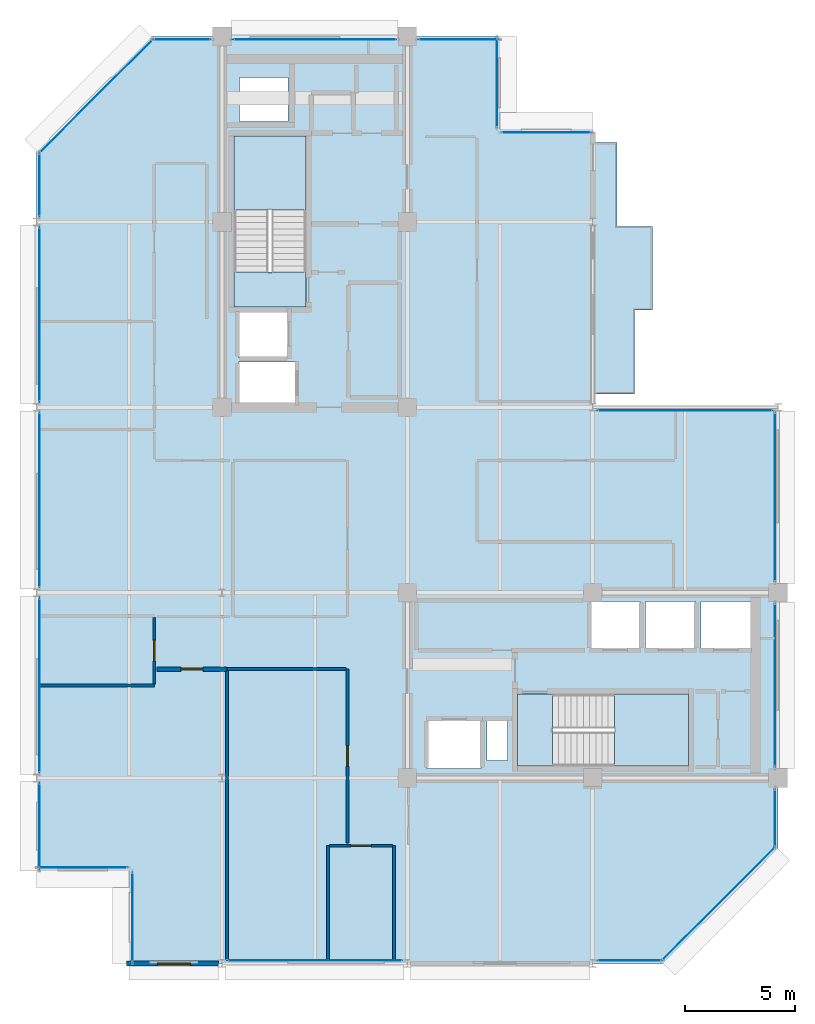
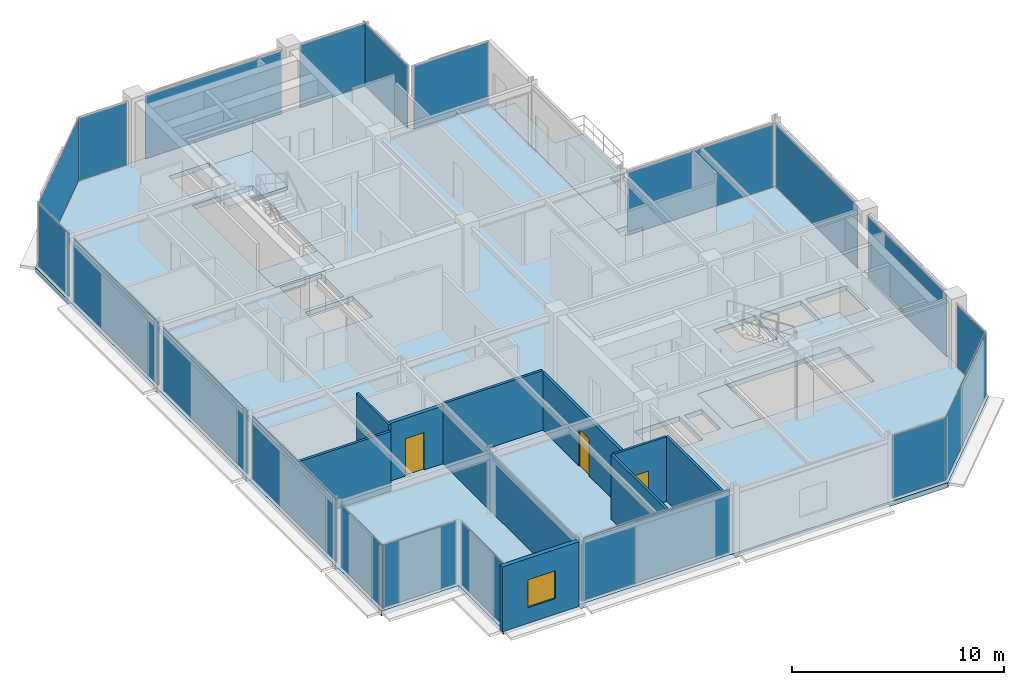
# One storey, part 19 of 25: 20 plates, 10 walls, 6 slabs, 4 doors, 1 window, 5 openings, 22 elements without a shape of their own.
"""IFC4 building model written with IfcOpenShell, lengths in metres."""

from ifc_helpers import new_model, si_unit, direction, frame, frame_2d, origin, origin_2d, place, context, subcontext, project, spatial, polyline, rectangle, outline, extrude, material, layer, layer_set, type_object, element, fill, aggregate, save


model = new_model("IFC4")

# Units and contexts
model_context = context("Model", 3, precision=1e-05, world=origin(), true_north=direction((0.0, 1.0)))
body_context = subcontext(model_context, "Body", "Model", "MODEL_VIEW")
ifc_project = project(units=[si_unit("LENGTHUNIT", "METRE"), si_unit("AREAUNIT", "SQUARE_METRE"), si_unit("VOLUMEUNIT", "CUBIC_METRE"), si_unit("PLANEANGLEUNIT", "RADIAN"), si_unit("MASSUNIT", "GRAM", prefix="KILO")], contexts=[model_context])

# Site, building, storey
site_placement = place(None, origin())
site = spatial("IfcSite", under=ifc_project, at=site_placement, CompositionType="ELEMENT")
building_placement = place(site_placement, origin())
building = spatial("IfcBuilding", under=site, at=building_placement, Name="Nerrivon Quay Data Exchange", CompositionType="ELEMENT")
storey_placement = place(building_placement, frame((0.0, 0.0, 302.199951171875)))
storey = spatial("IfcBuildingStorey", under=building, at=storey_placement, Name="L72", CompositionType="ELEMENT", Elevation=302.199951171875)

# Curtain wall, plate
ifc_material_1 = material(Name="Anodised aluminium 6063-T6", Category="aluminium")
ifc_layer_1 = layer(ifc_material_1, 0.195068359375)
ifc_layer_set_1 = layer_set([ifc_layer_1], Name="Anodised aluminium 6063-T6")
curtain_wall_type = type_object("IfcCurtainWallType", Name="CW-SYS-06", PredefinedType="NOTDEFINED", material=ifc_layer_set_1)
curtain_wall_1_placement = place(storey_placement, origin())
curtain_wall_1 = element("IfcCurtainWall", 1, at=curtain_wall_1_placement, inside=storey, type_object=curtain_wall_type, Name="L72 Unitised Curtain Wall 1", PredefinedType="NOTDEFINED")
ifc_material_2 = material(Name="Double-glazed low-E solar control glass", Category="glass")
ifc_layer_2 = layer(ifc_material_2, 0.028076171875)
ifc_layer_set_2 = layer_set([ifc_layer_2], Name="Double-glazed low-E solar control glass")
plate_type = type_object("IfcPlateType", Name="CWP-GLZ-28", PredefinedType="CURTAIN_PANEL", material=ifc_layer_set_2)
plate_1_placement = place(storey_placement, frame((30.90087890625, 2.698974609375, 0.06494140625), z_axis=(0.0, 0.0, 1.0), x_axis=(-0.707106781187, -0.707106781187, 0.0)))
plate_1 = element("IfcPlate", 2, at=plate_1_placement, type_object=plate_type, Name="CW06 panel 1.1", PredefinedType="CURTAIN_PANEL", context=body_context, shape_type="SweptSolid", body=[
    extrude(rectangle(XDim=7.203857421875, YDim=0.028076171875, at=origin_2d()), origin(), (0.0, 0.0, 1.0), 3.594970703125),
])
aggregate(curtain_wall_1, [plate_1])

curtain_wall_2_placement = place(storey_placement, origin())
curtain_wall_2 = element("IfcCurtainWall", 3, at=curtain_wall_2_placement, inside=storey, type_object=curtain_wall_type, Name="L72 Unitised Curtain Wall 2", PredefinedType="NOTDEFINED")
plate_2_placement = place(storey_placement, frame((26.877685546875, 0.139892578125, 0.06494140625), z_axis=(0.0, 0.0, 1.0), x_axis=(-1.0, 0.0, 0.0)))
plate_2 = element("IfcPlate", 4, at=plate_2_placement, type_object=plate_type, Name="CW06 panel 1.1", PredefinedType="CURTAIN_PANEL", context=body_context, shape_type="SweptSolid", body=[
    extrude(rectangle(XDim=2.89453125, YDim=0.028076171875, at=origin_2d()), origin(), (0.0, 0.0, 1.0), 3.594970703125),
])
aggregate(curtain_wall_2, [plate_2])

curtain_wall_3_placement = place(storey_placement, origin())
curtain_wall_3 = element("IfcCurtainWall", 5, at=curtain_wall_3_placement, inside=storey, type_object=curtain_wall_type, Name="L72 Unitised Curtain Wall 4", PredefinedType="NOTDEFINED")
plate_3_placement = place(storey_placement, frame((12.60009765625, 0.139892578125, 0.06494140625), z_axis=(0.0, 0.0, 1.0), x_axis=(-1.0, 0.0, 0.0)))
plate_3 = element("IfcPlate", 6, at=plate_3_placement, type_object=plate_type, Name="CW06 panel 1.1", PredefinedType="CURTAIN_PANEL", context=body_context, shape_type="SweptSolid", body=[
    extrude(rectangle(XDim=7.93896484375, YDim=0.028076171875, at=origin_2d()), origin(), (0.0, 0.0, 1.0), 3.594970703125),
])
aggregate(curtain_wall_3, [plate_3])

curtain_wall_4_placement = place(storey_placement, origin())
curtain_wall_4 = element("IfcCurtainWall", 7, at=curtain_wall_4_placement, inside=storey, type_object=curtain_wall_type, Name="L72 Unitised Curtain Wall 6", PredefinedType="NOTDEFINED")
plate_4_placement = place(storey_placement, frame((4.340087890625, 2.10009765625, 0.06494140625), z_axis=(0.0, 0.0, 1.0), x_axis=(0.0, 1.0, 0.0)))
plate_4 = element("IfcPlate", 8, at=plate_4_placement, type_object=plate_type, Name="CW06 panel 1.1", PredefinedType="CURTAIN_PANEL", context=body_context, shape_type="SweptSolid", body=[
    extrude(rectangle(XDim=4.050048828125, YDim=0.028076171875, at=origin_2d()), origin(), (0.0, 0.0, 1.0), 3.594970703125),
])
aggregate(curtain_wall_4, [plate_4])

curtain_wall_5_placement = place(storey_placement, origin())
curtain_wall_5 = element("IfcCurtainWall", 9, at=curtain_wall_5_placement, inside=storey, type_object=curtain_wall_type, Name="L72 Unitised Curtain Wall 7", PredefinedType="NOTDEFINED")
plate_5_placement = place(storey_placement, frame((2.10009765625, 4.340087890625, 0.06494140625), z_axis=(0.0, 0.0, 1.0), x_axis=(-1.0, 0.0, 0.0)))
plate_5 = element("IfcPlate", 10, at=plate_5_placement, type_object=plate_type, Name="CW06 panel 1.1", PredefinedType="CURTAIN_PANEL", context=body_context, shape_type="SweptSolid", body=[
    extrude(rectangle(XDim=4.050048828125, YDim=0.028076171875, at=origin_2d()), origin(), (0.0, 0.0, 1.0), 3.594970703125),
])
aggregate(curtain_wall_5, [plate_5])

curtain_wall_6_placement = place(storey_placement, origin())
curtain_wall_6 = element("IfcCurtainWall", 11, at=curtain_wall_6_placement, inside=storey, type_object=curtain_wall_type, Name="L72 Unitised Curtain Wall 8", PredefinedType="NOTDEFINED")
plate_6_placement = place(storey_placement, frame((0.139892578125, 6.21826171875, 0.06494140625), z_axis=(0.0, 0.0, 1.0), x_axis=(0.0, 1.0, 0.0)))
plate_6 = element("IfcPlate", 12, at=plate_6_placement, type_object=plate_type, Name="CW06 panel 1.1", PredefinedType="CURTAIN_PANEL", context=body_context, shape_type="SweptSolid", body=[
    extrude(rectangle(XDim=3.886474609375, YDim=0.028076171875, at=origin_2d()), origin(), (0.0, 0.0, 1.0), 3.594970703125),
])
aggregate(curtain_wall_6, [plate_6])

curtain_wall_7_placement = place(storey_placement, origin())
curtain_wall_7 = element("IfcCurtainWall", 13, at=curtain_wall_7_placement, inside=storey, type_object=curtain_wall_type, Name="L72 Unitised Curtain Wall 9", PredefinedType="NOTDEFINED")
plate_7_placement = place(storey_placement, frame((0.139892578125, 12.60009765625, 0.06494140625), z_axis=(0.0, 0.0, 1.0), x_axis=(0.0, 1.0, 0.0)))
plate_7 = element("IfcPlate", 14, at=plate_7_placement, type_object=plate_type, Name="CW06 panel 1.1", PredefinedType="CURTAIN_PANEL", context=body_context, shape_type="SweptSolid", body=[
    extrude(rectangle(XDim=7.923095703125, YDim=0.028076171875, at=origin_2d()), origin(), (0.0, 0.0, 1.0), 3.594970703125),
])
aggregate(curtain_wall_7, [plate_7])

curtain_wall_8_placement = place(storey_placement, origin())
curtain_wall_8 = element("IfcCurtainWall", 15, at=curtain_wall_8_placement, inside=storey, type_object=curtain_wall_type, Name="L72 Unitised Curtain Wall 10", PredefinedType="NOTDEFINED")
plate_8_placement = place(storey_placement, frame((0.139892578125, 21.0, 0.06494140625), z_axis=(0.0, 0.0, 1.0), x_axis=(0.0, 1.0, 0.0)))
plate_8 = element("IfcPlate", 16, at=plate_8_placement, type_object=plate_type, Name="CW06 panel 1.1", PredefinedType="CURTAIN_PANEL", context=body_context, shape_type="SweptSolid", body=[
    extrude(rectangle(XDim=7.923095703125, YDim=0.028076171875, at=origin_2d()), origin(), (0.0, 0.0, 1.0), 3.594970703125),
])
aggregate(curtain_wall_8, [plate_8])

curtain_wall_9_placement = place(storey_placement, origin())
curtain_wall_9 = element("IfcCurtainWall", 17, at=curtain_wall_9_placement, inside=storey, type_object=curtain_wall_type, Name="L72 Unitised Curtain Wall 11", PredefinedType="NOTDEFINED")
plate_9_placement = place(storey_placement, frame((0.139892578125, 29.39990234375, 0.06494140625), z_axis=(0.0, 0.0, 1.0), x_axis=(0.0, 1.0, 0.0)))
plate_9 = element("IfcPlate", 18, at=plate_9_placement, type_object=plate_type, Name="CW06 panel 1.1", PredefinedType="CURTAIN_PANEL", context=body_context, shape_type="SweptSolid", body=[
    extrude(rectangle(XDim=7.923095703125, YDim=0.028076171875, at=origin_2d()), origin(), (0.0, 0.0, 1.0), 3.594970703125),
])
aggregate(curtain_wall_9, [plate_9])

curtain_wall_10_placement = place(storey_placement, origin())
curtain_wall_10 = element("IfcCurtainWall", 19, at=curtain_wall_10_placement, inside=storey, type_object=curtain_wall_type, Name="L72 Unitised Curtain Wall 12", PredefinedType="NOTDEFINED")
plate_10_placement = place(storey_placement, frame((0.139892578125, 35.28173828125, 0.06494140625), z_axis=(0.0, 0.0, 1.0), x_axis=(0.0, 1.0, 0.0)))
plate_10 = element("IfcPlate", 20, at=plate_10_placement, type_object=plate_type, Name="CW06 panel 1.1", PredefinedType="CURTAIN_PANEL", context=body_context, shape_type="SweptSolid", body=[
    extrude(rectangle(XDim=2.886474609375, YDim=0.028076171875, at=origin_2d()), origin(), (0.0, 0.0, 1.0), 3.594970703125),
])
aggregate(curtain_wall_10, [plate_10])

curtain_wall_11_placement = place(storey_placement, origin())
curtain_wall_11 = element("IfcCurtainWall", 21, at=curtain_wall_11_placement, inside=storey, type_object=curtain_wall_type, Name="L72 Unitised Curtain Wall 13", PredefinedType="NOTDEFINED")
plate_11_placement = place(storey_placement, frame((2.698974609375, 39.301025390625, 0.06494140625), z_axis=(0.0, 0.0, 1.0), x_axis=(0.707106781187, 0.707106781187, 0.0)))
plate_11 = element("IfcPlate", 22, at=plate_11_placement, type_object=plate_type, Name="CW06 panel 1.1", PredefinedType="CURTAIN_PANEL", context=body_context, shape_type="SweptSolid", body=[
    extrude(rectangle(XDim=7.203857421875, YDim=0.028076171875, at=origin_2d()), origin(), (0.0, 0.0, 1.0), 3.594970703125),
])
aggregate(curtain_wall_11, [plate_11])

curtain_wall_12_placement = place(storey_placement, origin())
curtain_wall_12 = element("IfcCurtainWall", 23, at=curtain_wall_12_placement, inside=storey, type_object=curtain_wall_type, Name="L72 Unitised Curtain Wall 14", PredefinedType="NOTDEFINED")
plate_12_placement = place(storey_placement, frame((6.58740234375, 41.860107421875, 0.06494140625), z_axis=(0.0, 0.0, 1.0), x_axis=(1.0, 0.0, 0.0)))
plate_12 = element("IfcPlate", 24, at=plate_12_placement, type_object=plate_type, Name="CW06 panel 1.1", PredefinedType="CURTAIN_PANEL", context=body_context, shape_type="SweptSolid", body=[
    extrude(rectangle(XDim=2.625, YDim=0.028076171875, at=origin_2d()), origin(), (0.0, 0.0, 1.0), 3.594970703125),
])
aggregate(curtain_wall_12, [plate_12])

curtain_wall_13_placement = place(storey_placement, origin())
curtain_wall_13 = element("IfcCurtainWall", 25, at=curtain_wall_13_placement, inside=storey, type_object=curtain_wall_type, Name="L72 Unitised Curtain Wall 15", PredefinedType="NOTDEFINED")
plate_13_placement = place(storey_placement, frame((12.60009765625, 41.860107421875, 0.06494140625), z_axis=(0.0, 0.0, 1.0), x_axis=(1.0, 0.0, 0.0)))
plate_13 = element("IfcPlate", 26, at=plate_13_placement, type_object=plate_type, Name="CW06 panel 1.1", PredefinedType="CURTAIN_PANEL", context=body_context, shape_type="SweptSolid", body=[
    extrude(rectangle(XDim=7.39990234375, YDim=0.028076171875, at=origin_2d()), origin(), (0.0, 0.0, 1.0), 3.594970703125),
])
aggregate(curtain_wall_13, [plate_13])

curtain_wall_14_placement = place(storey_placement, origin())
curtain_wall_14 = element("IfcCurtainWall", 27, at=curtain_wall_14_placement, inside=storey, type_object=curtain_wall_type, Name="L72 Unitised Curtain Wall 16", PredefinedType="NOTDEFINED")
plate_14_placement = place(storey_placement, frame((19.112548828125, 41.860107421875, 0.06494140625), z_axis=(0.0, 0.0, 1.0), x_axis=(1.0, 0.0, 0.0)))
plate_14 = element("IfcPlate", 28, at=plate_14_placement, type_object=plate_type, Name="CW06 panel 1.1", PredefinedType="CURTAIN_PANEL", context=body_context, shape_type="SweptSolid", body=[
    extrude(rectangle(XDim=3.625, YDim=0.028076171875, at=origin_2d()), origin(), (0.0, 0.0, 1.0), 3.594970703125),
])
aggregate(curtain_wall_14, [plate_14])

curtain_wall_15_placement = place(storey_placement, origin())
curtain_wall_15 = element("IfcCurtainWall", 29, at=curtain_wall_15_placement, inside=storey, type_object=curtain_wall_type, Name="L72 Unitised Curtain Wall 17", PredefinedType="NOTDEFINED")
plate_15_placement = place(storey_placement, frame((20.860107421875, 39.89990234375, 0.06494140625), z_axis=(0.0, 0.0, 1.0), x_axis=(0.0, -1.0, 0.0)))
plate_15 = element("IfcPlate", 30, at=plate_15_placement, type_object=plate_type, Name="CW06 panel 1.1", PredefinedType="CURTAIN_PANEL", context=body_context, shape_type="SweptSolid", body=[
    extrude(rectangle(XDim=4.050048828125, YDim=0.028076171875, at=origin_2d()), origin(), (0.0, 0.0, 1.0), 3.594970703125),
])
aggregate(curtain_wall_15, [plate_15])

curtain_wall_16_placement = place(storey_placement, origin())
curtain_wall_16 = element("IfcCurtainWall", 31, at=curtain_wall_16_placement, inside=storey, type_object=curtain_wall_type, Name="L72 Unitised Curtain Wall 18", PredefinedType="NOTDEFINED")
plate_16_placement = place(storey_placement, frame((23.10009765625, 37.659912109375, 0.06494140625), z_axis=(0.0, 0.0, 1.0), x_axis=(1.0, 0.0, 0.0)))
plate_16 = element("IfcPlate", 32, at=plate_16_placement, type_object=plate_type, Name="CW06 panel 1.1", PredefinedType="CURTAIN_PANEL", context=body_context, shape_type="SweptSolid", body=[
    extrude(rectangle(XDim=4.050048828125, YDim=0.028076171875, at=origin_2d()), origin(), (0.0, 0.0, 1.0), 3.594970703125),
])
aggregate(curtain_wall_16, [plate_16])

curtain_wall_17_placement = place(storey_placement, origin())
curtain_wall_17 = element("IfcCurtainWall", 33, at=curtain_wall_17_placement, inside=storey, type_object=curtain_wall_type, Name="L72 Unitised Curtain Wall 21", PredefinedType="NOTDEFINED")
plate_17_placement = place(storey_placement, frame((29.39990234375, 25.06005859375, 0.06494140625), z_axis=(0.0, 0.0, 1.0), x_axis=(1.0, 0.0, 0.0)))
plate_17 = element("IfcPlate", 34, at=plate_17_placement, type_object=plate_type, Name="CW06 panel 1.1", PredefinedType="CURTAIN_PANEL", context=body_context, shape_type="SweptSolid", body=[
    extrude(rectangle(XDim=7.93896484375, YDim=0.028076171875, at=origin_2d()), origin(), (0.0, 0.0, 1.0), 3.594970703125),
])
aggregate(curtain_wall_17, [plate_17])

curtain_wall_18_placement = place(storey_placement, origin())
curtain_wall_18 = element("IfcCurtainWall", 35, at=curtain_wall_18_placement, inside=storey, type_object=curtain_wall_type, Name="L72 Unitised Curtain Wall 22", PredefinedType="NOTDEFINED")
plate_18_placement = place(storey_placement, frame((33.4599609375, 21.130859375, 0.06494140625), z_axis=(0.0, 0.0, 1.0), x_axis=(0.0, -1.0, 0.0)))
plate_18 = element("IfcPlate", 36, at=plate_18_placement, type_object=plate_type, Name="CW06 panel 1.1", PredefinedType="CURTAIN_PANEL", context=body_context, shape_type="SweptSolid", body=[
    extrude(rectangle(XDim=7.66162109375, YDim=0.028076171875, at=origin_2d()), origin(), (0.0, 0.0, 1.0), 3.594970703125),
])
aggregate(curtain_wall_18, [plate_18])

curtain_wall_19_placement = place(storey_placement, origin())
curtain_wall_19 = element("IfcCurtainWall", 37, at=curtain_wall_19_placement, inside=storey, type_object=curtain_wall_type, Name="L72 Unitised Curtain Wall 23", PredefinedType="NOTDEFINED")
plate_19_placement = place(storey_placement, frame((33.4599609375, 12.60009765625, 0.06494140625), z_axis=(0.0, 0.0, 1.0), x_axis=(0.0, -1.0, 0.0)))
plate_19 = element("IfcPlate", 38, at=plate_19_placement, type_object=plate_type, Name="CW06 panel 1.1", PredefinedType="CURTAIN_PANEL", context=body_context, shape_type="SweptSolid", body=[
    extrude(rectangle(XDim=7.39990234375, YDim=0.028076171875, at=origin_2d()), origin(), (0.0, 0.0, 1.0), 3.594970703125),
])
aggregate(curtain_wall_19, [plate_19])

curtain_wall_20_placement = place(storey_placement, origin())
curtain_wall_20 = element("IfcCurtainWall", 39, at=curtain_wall_20_placement, inside=storey, type_object=curtain_wall_type, Name="L72 Unitised Curtain Wall 24", PredefinedType="NOTDEFINED")
plate_20_placement = place(storey_placement, frame((33.4599609375, 6.58740234375, 0.06494140625), z_axis=(0.0, 0.0, 1.0), x_axis=(0.0, -1.0, 0.0)))
plate_20 = element("IfcPlate", 40, at=plate_20_placement, type_object=plate_type, Name="CW06 panel 1.1", PredefinedType="CURTAIN_PANEL", context=body_context, shape_type="SweptSolid", body=[
    extrude(rectangle(XDim=2.625, YDim=0.028076171875, at=origin_2d()), origin(), (0.0, 0.0, 1.0), 3.594970703125),
])
aggregate(curtain_wall_20, [plate_20])

# Slab
ifc_material_3 = material(Name="Precast white architectural concrete N50 (50 MPa)", Category="concrete")
ifc_layer_3 = layer(ifc_material_3, 0.25)
ifc_layer_set_3 = layer_set([ifc_layer_3], Name="Precast white architectural concrete N50 (50 MPa)")
slab_type_1 = type_object("IfcSlabType", Name="SLB-BAL-250", PredefinedType="FLOOR", material=ifc_layer_set_3)
slab_1_placement = place(storey_placement, frame((0.0, 0.0, -0.25)))
element("IfcSlab", 41, at=slab_1_placement, inside=storey, type_object=slab_type_1, Name="L72 Waterfront Subtropical Verandah", PredefinedType="FLOOR", context=body_context, shape_type="SweptSolid", body=[
    extrude(outline(polyline([(27.10009765625, 29.60009765625), (27.89990234375, 29.60009765625), (27.89990234375, 33.39990234375), (26.300048828125, 33.39990234375), (26.300048828125, 37.199951171875), (25.199951171875, 37.199951171875), (25.199951171875, 33.39990234375), (25.199951171875, 29.60009765625), (25.199951171875, 25.800048828125), (27.10009765625, 25.800048828125), (27.10009765625, 29.60009765625)])), origin(), (0.0, 0.0, 1.0), 0.25),
])

# Stair, slab
ifc_material_4 = material(Name="Concrete N50 (50 MPa)", Category="concrete")
stair_type = type_object("IfcStairType", Name="STAIR-DOG-40", PredefinedType="HALF_TURN_STAIR", material=ifc_material_4)
stair_1_placement = place(storey_placement, origin())
stair_1 = element("IfcStair", 42, at=stair_1_placement, inside=storey, type_object=stair_type, Name="L72 West Core Fire Stair ST01", PredefinedType="HALF_TURN_STAIR")
ifc_layer_4 = layer(ifc_material_4, 0.199951171875)
ifc_layer_set_4 = layer_set([ifc_layer_4], Name="Concrete N50 (50 MPa)")
slab_type_2 = type_object("IfcSlabType", Name="SLB-LAND-200", PredefinedType="LANDING", material=ifc_layer_set_4)
slab_2_placement = place(storey_placement, frame((0.0, 0.0, 1.800048828125)))
slab_2 = element("IfcSlab", 43, at=slab_2_placement, type_object=slab_type_2, Name="ST01 landing 1", PredefinedType="LANDING", context=body_context, shape_type="SweptSolid", body=[
    extrude(outline(polyline([(12.199951171875, 34.1298828125), (12.199951171875, 37.5), (8.949951171875, 37.5), (8.949951171875, 34.1298828125), (12.199951171875, 34.1298828125)])), origin(), (0.0, 0.0, 1.0), 0.199951171875),
])
aggregate(stair_1, [slab_2])

# Slab
slab_3_placement = place(storey_placement, frame((0.0, 0.0, -0.199951171875)))
element("IfcSlab", 44, at=slab_3_placement, inside=storey, type_object=slab_type_2, Name="L72 ST01 floor landing", PredefinedType="LANDING", context=body_context, shape_type="SweptSolid", body=[
    extrude(outline(polyline([(12.199951171875, 29.75), (12.199951171875, 31.330078125), (8.949951171875, 31.330078125), (8.949951171875, 29.75), (12.199951171875, 29.75)])), origin(), (0.0, 0.0, 1.0), 0.199951171875),
])

# Stair, slab
stair_2_placement = place(storey_placement, origin())
stair_2 = element("IfcStair", 45, at=stair_2_placement, inside=storey, type_object=stair_type, Name="L72 East Core Fire Stair ST02", PredefinedType="HALF_TURN_STAIR")
slab_4_placement = place(storey_placement, frame((0.0, 0.0, 1.800048828125)))
slab_4 = element("IfcSlab", 46, at=slab_4_placement, type_object=slab_type_2, Name="ST02 landing 1", PredefinedType="LANDING", context=body_context, shape_type="SweptSolid", body=[
    extrude(outline(polyline([(26.179931640625, 8.949951171875), (29.550048828125, 8.949951171875), (29.550048828125, 12.199951171875), (26.179931640625, 12.199951171875), (26.179931640625, 8.949951171875)])), origin(), (0.0, 0.0, 1.0), 0.199951171875),
])
aggregate(stair_2, [slab_4])

# Slabs
slab_5_placement = place(storey_placement, frame((0.0, 0.0, -0.199951171875)))
element("IfcSlab", 47, at=slab_5_placement, inside=storey, type_object=slab_type_2, Name="L72 ST02 floor landing", PredefinedType="LANDING", context=body_context, shape_type="SweptSolid", body=[
    extrude(outline(polyline([(21.800048828125, 8.949951171875), (23.3798828125, 8.949951171875), (23.3798828125, 12.199951171875), (21.800048828125, 12.199951171875), (21.800048828125, 8.949951171875)])), origin(), (0.0, 0.0, 1.0), 0.199951171875),
])
ifc_layer_5 = layer(ifc_material_4, 0.27490234375)
ifc_layer_set_5 = layer_set([ifc_layer_5], Name="Concrete N50 (50 MPa)")
slab_type_3 = type_object("IfcSlabType", Name="SLB-TOW-275", PredefinedType="FLOOR", material=ifc_layer_set_5)
slab_6_placement = place(storey_placement, frame((0.0, 0.0, -0.27490234375)))
element("IfcSlab", 48, at=slab_6_placement, inside=storey, type_object=slab_type_3, Name="L72 Primary Structural Slab", PredefinedType="FLOOR", context=body_context, shape_type="SweptSolid", body=[
    extrude(outline(polyline([(33.60009765625, 25.199951171875), (25.199951171875, 25.199951171875), (25.199951171875, 37.800048828125), (21.0, 37.800048828125), (21.0, 42.0), (5.199951171875, 42.0), (0.0, 36.800048828125), (0.0, 4.199951171875), (4.199951171875, 4.199951171875), (4.199951171875, 0.0), (28.39990234375, 0.0), (33.60009765625, 5.199951171875), (33.60009765625, 25.199951171875)]), holes=[polyline([(8.949951171875, 29.75), (8.949951171875, 37.5), (12.199951171875, 37.5), (12.199951171875, 29.75), (8.949951171875, 29.75)]), polyline([(21.800048828125, 12.199951171875), (29.550048828125, 12.199951171875), (29.550048828125, 8.949951171875), (21.800048828125, 8.949951171875), (21.800048828125, 12.199951171875)]), polyline([(30.10009765625, 14.25), (30.10009765625, 16.39990234375), (32.35009765625, 16.39990234375), (32.35009765625, 14.25), (30.10009765625, 14.25)]), polyline([(27.60009765625, 14.25), (27.60009765625, 16.39990234375), (29.85009765625, 16.39990234375), (29.85009765625, 14.25), (27.60009765625, 14.25)]), polyline([(25.10009765625, 14.25), (25.10009765625, 16.39990234375), (27.35009765625, 16.39990234375), (27.35009765625, 14.25), (25.10009765625, 14.25)]), polyline([(20.39990234375, 9.199951171875), (20.39990234375, 11.0), (21.35009765625, 11.0), (21.35009765625, 9.199951171875), (20.39990234375, 9.199951171875)]), polyline([(17.699951171875, 8.830078125), (17.699951171875, 11.030029296875), (20.14990234375, 11.030029296875), (20.14990234375, 8.830078125), (17.699951171875, 8.830078125)]), polyline([(9.14990234375, 25.35009765625), (9.14990234375, 27.25), (11.75, 27.25), (11.75, 25.35009765625), (9.14990234375, 25.35009765625)]), polyline([(9.14990234375, 27.449951171875), (9.14990234375, 29.60009765625), (11.39990234375, 29.60009765625), (11.39990234375, 27.449951171875), (9.14990234375, 27.449951171875)]), polyline([(9.199951171875, 38.14990234375), (9.199951171875, 40.14990234375), (11.39990234375, 40.14990234375), (11.39990234375, 38.14990234375), (9.199951171875, 38.14990234375)])]), origin(), (0.0, 0.0, 1.0), 0.27490234375),
])

# Wall, opening, window
ifc_material_5 = material(Name="Architectural terracotta precast concrete N50 (50 MPa)", Category="masonry")
ifc_layer_6 = layer(ifc_material_5, 0.239990234375)
ifc_layer_set_6 = layer_set([ifc_layer_6], Name="Architectural terracotta precast concrete N50 (50 MPa)")
wall_type_1 = type_object("IfcWallType", Name="EW-PREC-240", PredefinedType="STANDARD", material=ifc_layer_set_6)
wall_1_placement = place(storey_placement, frame((8.244384765625, 0.0, 0.0), z_axis=(0.0, 0.0, 1.0), x_axis=(-1.0, 0.0, 0.0)))
wall_1 = element("IfcWall", 49, at=wall_1_placement, inside=storey, type_object=wall_type_1, Name="L72 Podium Precast Spandrel Wall 5", PredefinedType="STANDARD", context=body_context, shape_type="SweptSolid", body=[
    extrude(rectangle(XDim=4.164306640625, YDim=0.239990234375, at=frame_2d((2.08203125, 0.0))), origin(), (0.0, 0.0, 1.0), 3.72509765625),
])
opening_1_placement = place(wall_1_placement, frame((1.267333984375, 0.0, 0.89990234375)))
opening_1 = element("IfcOpeningElement", 50, at=opening_1_placement, cuts=wall_1, Name="Opening WN4", PredefinedType="OPENING", context=body_context, shape_type="SweptSolid", body=[
    extrude(rectangle(XDim=1.5, YDim=1.60009765625, at=frame_2d((0.75, 0.800048828125))), frame((0.0, 0.1298828125, 0.0), z_axis=(0.0, -1.0, 0.0), x_axis=(1.0, 0.0, 0.0)), (0.0, 0.0, 1.0), 0.260009765625),
])
window_type = type_object("IfcWindowType", Name="WIN-W4-1500x1600", PartitioningType="SINGLE_PANEL", PredefinedType="WINDOW", material=ifc_material_2)
window_placement = place(opening_1_placement, origin())
window = element("IfcWindow", 51, at=window_placement, inside=storey, type_object=window_type, Name="L72 Solar Facade Window 5", OverallHeight=1.60009765625, OverallWidth=1.5, PartitioningType="SINGLE_PANEL", PredefinedType="WINDOW", context=body_context, shape_type="SweptSolid", body=[
    extrude(rectangle(XDim=1.5, YDim=1.60009765625, at=frame_2d((0.75, 0.800048828125))), frame((0.0, 0.030029296875, 0.0), z_axis=(0.0, -1.0, 0.0), x_axis=(1.0, 0.0, 0.0)), (0.0, 0.0, 1.0), 0.06005859375),
])
fill(opening_1, window)

# Wall, opening, door
ifc_material_6 = material(Name="Gypsum plasterboard on cold-formed framing", Category="gypsum")
ifc_layer_7 = layer(ifc_material_6, 0.199951171875)
ifc_layer_set_7 = layer_set([ifc_layer_7], Name="Gypsum plasterboard on cold-formed framing")
wall_type_2 = type_object("IfcWallType", Name="WALL-FW-200", PredefinedType="PARTITIONING", material=ifc_layer_set_7)
wall_2_placement = place(storey_placement, frame((8.614013671875, 13.340087890625, 0.0), z_axis=(0.0, 0.0, 1.0), x_axis=(-1.0, 0.0, 0.0)))
wall_2 = element("IfcWall", 52, at=wall_2_placement, inside=storey, type_object=wall_type_2, Name="L72 Partition Colocation Data Workspace 1", PredefinedType="PARTITIONING", context=body_context, shape_type="SweptSolid", body=[
    extrude(rectangle(XDim=3.154052734375, YDim=0.199951171875, at=frame_2d((1.5771484375, 0.0))), origin(), (0.0, 0.0, 1.0), 3.319091796875),
])
opening_2_placement = place(wall_2_placement, frame((1.076904296875, 0.0, 0.0)))
opening_2 = element("IfcOpeningElement", 53, at=opening_2_placement, cuts=wall_2, Name="Opening FD-60", PredefinedType="OPENING", context=body_context, shape_type="SweptSolid", body=[
    extrude(rectangle(XDim=1.0, YDim=2.14990234375, at=frame_2d((0.5, 1.074951171875))), frame((0.0, 0.10986328125, 0.0), z_axis=(0.0, -1.0, 0.0), x_axis=(1.0, 0.0, 0.0)), (0.0, 0.0, 1.0), 0.219970703125),
])
ifc_material_7 = material(Name="Engineered hardwood timber", Category="wood")
door_type_1 = type_object("IfcDoorType", Name="DR-FD60-1000", OperationType="NOTDEFINED", PredefinedType="DOOR", material=ifc_material_7)
door_1_placement = place(opening_2_placement, origin())
door_1 = element("IfcDoor", 54, at=door_1_placement, inside=storey, type_object=door_type_1, Name="L72 Door Colocation Data Workspace 1", OperationType="SINGLE_SWING_LEFT", OverallHeight=2.14990234375, OverallWidth=1.0, PredefinedType="DOOR", context=body_context, shape_type="SweptSolid", body=[
    extrude(rectangle(XDim=1.0, YDim=2.14990234375, at=frame_2d((0.5, 1.074951171875))), frame((0.0, 0.02490234375, 0.0), z_axis=(0.0, -1.0, 0.0), x_axis=(1.0, 0.0, 0.0)), (0.0, 0.0, 1.0), 0.050048828125),
])
fill(opening_2, door_1)

ifc_layer_8 = layer(ifc_material_6, 0.1201171875)
ifc_layer_set_8 = layer_set([ifc_layer_8], Name="Gypsum plasterboard on cold-formed framing")
wall_type_3 = type_object("IfcWallType", Name="WALL-PT-120", PredefinedType="PARTITIONING", material=ifc_layer_set_8)
wall_3_placement = place(storey_placement, frame((5.340087890625, 12.67138671875, 0.0), z_axis=(0.0, 0.0, 1.0), x_axis=(0.0, 1.0, 0.0)))
wall_3 = element("IfcWall", 55, at=wall_3_placement, inside=storey, type_object=wall_type_3, Name="L72 Partition Accessible Toilet", PredefinedType="PARTITIONING", context=body_context, shape_type="SweptSolid", body=[
    extrude(rectangle(XDim=3.007080078125, YDim=0.1201171875, at=frame_2d((1.50341796875, 0.0))), origin(), (0.0, 0.0, 1.0), 3.72509765625),
])
opening_3_placement = place(wall_3_placement, frame((1.04345703125, 0.0, 0.0)))
opening_3 = element("IfcOpeningElement", 56, at=opening_3_placement, cuts=wall_3, Name="Opening D-WC", PredefinedType="OPENING", context=body_context, shape_type="SweptSolid", body=[
    extrude(rectangle(XDim=0.919921875, YDim=2.10009765625, at=frame_2d((0.4599609375, 1.050048828125))), frame((0.0, 0.070068359375, 0.0), z_axis=(0.0, -1.0, 0.0), x_axis=(1.0, 0.0, 0.0)), (0.0, 0.0, 1.0), 0.14013671875),
])
door_type_2 = type_object("IfcDoorType", Name="DR-WC-920", OperationType="NOTDEFINED", PredefinedType="DOOR", material=ifc_material_7)
door_2_placement = place(opening_3_placement, origin())
door_2 = element("IfcDoor", 57, at=door_2_placement, inside=storey, type_object=door_type_2, Name="L72 Door Accessible Toilet", OperationType="SINGLE_SWING_RIGHT", OverallHeight=2.10009765625, OverallWidth=0.919921875, PredefinedType="DOOR", context=body_context, shape_type="SweptSolid", body=[
    extrude(rectangle(XDim=0.919921875, YDim=2.10009765625, at=frame_2d((0.4599609375, 1.050048828125))), frame((0.0, 0.02490234375, 0.0), z_axis=(0.0, -1.0, 0.0), x_axis=(1.0, 0.0, 0.0)), (0.0, 0.0, 1.0), 0.050048828125),
])
fill(opening_3, door_2)

wall_4_placement = place(storey_placement, frame((16.12841796875, 5.340087890625, 0.0), z_axis=(0.0, 0.0, 1.0), x_axis=(-1.0, 0.0, 0.0)))
wall_4 = element("IfcWall", 58, at=wall_4_placement, inside=storey, type_object=wall_type_3, Name="L72 Partition Public Washrooms", PredefinedType="PARTITIONING", context=body_context, shape_type="SweptSolid", body=[
    extrude(rectangle(XDim=2.85693359375, YDim=0.1201171875, at=frame_2d((1.428466796875, 0.0))), origin(), (0.0, 0.0, 1.0), 3.72509765625),
])
opening_4_placement = place(wall_4_placement, frame((0.968505859375, 0.0, 0.0)))
opening_4 = element("IfcOpeningElement", 59, at=opening_4_placement, cuts=wall_4, Name="Opening D-WC", PredefinedType="OPENING", context=body_context, shape_type="SweptSolid", body=[
    extrude(rectangle(XDim=0.919921875, YDim=2.10009765625, at=frame_2d((0.4599609375, 1.050048828125))), frame((0.0, 0.070068359375, 0.0), z_axis=(0.0, -1.0, 0.0), x_axis=(1.0, 0.0, 0.0)), (0.0, 0.0, 1.0), 0.14013671875),
])
door_3_placement = place(opening_4_placement, origin())
door_3 = element("IfcDoor", 60, at=door_3_placement, inside=storey, type_object=door_type_2, Name="L72 Door Public Washrooms", OperationType="SINGLE_SWING_LEFT", OverallHeight=2.10009765625, OverallWidth=0.919921875, PredefinedType="DOOR", context=body_context, shape_type="SweptSolid", body=[
    extrude(rectangle(XDim=0.919921875, YDim=2.10009765625, at=frame_2d((0.4599609375, 1.050048828125))), frame((0.0, 0.02490234375, 0.0), z_axis=(0.0, -1.0, 0.0), x_axis=(1.0, 0.0, 0.0)), (0.0, 0.0, 1.0), 0.050048828125),
])
fill(opening_4, door_3)

# Walls
ifc_layer_9 = layer(ifc_material_6, 0.135009765625)
ifc_layer_set_9 = layer_set([ifc_layer_9], Name="Gypsum plasterboard on cold-formed framing")
wall_type_4 = type_object("IfcWallType", Name="WALL-PT-135", PredefinedType="PARTITIONING", material=ifc_layer_set_9)
wall_5_placement = place(storey_placement, frame((0.1689453125, 12.60009765625, 0.0), z_axis=(0.0, 0.0, 1.0), x_axis=(1.0, 0.0, 0.0)))
element("IfcWall", 61, at=wall_5_placement, inside=storey, type_object=wall_type_4, Name="L72 Partition Accessible Toilet", PredefinedType="PARTITIONING", context=body_context, shape_type="SweptSolid", body=[
    extrude(rectangle(XDim=5.171142578125, YDim=0.135009765625, at=frame_2d((2.58544921875, 0.0))), origin(), (0.0, 0.0, 1.0), 3.421142578125),
])
for number, where, z_axis, x_axis, name in (
    (62, (13.199951171875, 5.340087890625, 0.0), (0.0, 0.0, 1.0), (0.0, -1.0, 0.0), "L72 Partition Public Washrooms"),
    (63, (16.199951171875, 0.1689453125, 0.0), (0.0, 0.0, 1.0), (0.0, 1.0, 0.0), "L72 Partition Public Washrooms"),
):
    element("IfcWall", number, at=place(storey_placement, frame(where, z_axis=z_axis, x_axis=x_axis)), inside=storey, type_object=wall_type_4, Name=name, PredefinedType="PARTITIONING", context=body_context, shape_type="SweptSolid", body=[
        extrude(rectangle(XDim=5.171142578125, YDim=0.135009765625, at=frame_2d((2.58544921875, 0.0))), origin(), (0.0, 0.0, 1.0), 3.72509765625),
    ])
wall_6_placement = place(storey_placement, frame((14.010986328125, 13.340087890625, 0.0), z_axis=(0.0, 0.0, 1.0), x_axis=(-1.0, 0.0, 0.0)))
element("IfcWall", 64, at=wall_6_placement, inside=storey, type_object=wall_type_4, Name="L72 Partition Mail and Crew Room", PredefinedType="PARTITIONING", context=body_context, shape_type="SweptSolid", body=[
    extrude(rectangle(XDim=5.377197265625, YDim=0.135009765625, at=frame_2d((2.6884765625, 0.0))), origin(), (0.0, 0.0, 1.0), 3.421142578125),
])

# Wall, opening, door
ifc_layer_10 = layer(ifc_material_6, 0.14990234375)
ifc_layer_set_10 = layer_set([ifc_layer_10], Name="Gypsum plasterboard on cold-formed framing")
wall_type_5 = type_object("IfcWallType", Name="WALL-PT-150", PredefinedType="PARTITIONING", material=ifc_layer_set_10)
wall_7_placement = place(storey_placement, frame((14.090087890625, 5.4599609375, 0.0), z_axis=(0.0, 0.0, 1.0), x_axis=(0.0, 1.0, 0.0)))
wall_7 = element("IfcWall", 65, at=wall_7_placement, inside=storey, type_object=wall_type_5, Name="L72 Partition Mail and Crew Room", PredefinedType="PARTITIONING", context=body_context, shape_type="SweptSolid", body=[
    extrude(rectangle(XDim=7.880126953125, YDim=0.14990234375, at=frame_2d((3.93994140625, 0.0))), origin(), (0.0, 0.0, 1.0), 3.27099609375),
])
opening_5_placement = place(wall_7_placement, frame((3.465087890625, 0.0, 0.0)))
opening_5 = element("IfcOpeningElement", 66, at=opening_5_placement, cuts=wall_7, Name="Opening D-01", PredefinedType="OPENING", context=body_context, shape_type="SweptSolid", body=[
    extrude(rectangle(XDim=0.949951171875, YDim=2.14990234375, at=frame_2d((0.47509765625, 1.074951171875))), frame((0.0, 0.0849609375, 0.0), z_axis=(0.0, -1.0, 0.0), x_axis=(1.0, 0.0, 0.0)), (0.0, 0.0, 1.0), 0.169921875),
])
door_type_3 = type_object("IfcDoorType", Name="DR-INT-950", OperationType="NOTDEFINED", PredefinedType="DOOR", material=ifc_material_7)
door_4_placement = place(opening_5_placement, origin())
door_4 = element("IfcDoor", 67, at=door_4_placement, inside=storey, type_object=door_type_3, Name="L72 Door Mail and Crew Room", OperationType="SINGLE_SWING_RIGHT", OverallHeight=2.14990234375, OverallWidth=0.949951171875, PredefinedType="DOOR", context=body_context, shape_type="SweptSolid", body=[
    extrude(rectangle(XDim=0.949951171875, YDim=2.14990234375, at=frame_2d((0.47509765625, 1.074951171875))), frame((0.0, 0.02490234375, 0.0), z_axis=(0.0, -1.0, 0.0), x_axis=(1.0, 0.0, 0.0)), (0.0, 0.0, 1.0), 0.050048828125),
])
fill(opening_5, door_4)

# Wall
wall_8_placement = place(storey_placement, frame((8.6337890625, 13.2685546875, 0.0), z_axis=(0.0, 0.0, 1.0), x_axis=(0.0, -1.0, 0.0)))
element("IfcWall", 68, at=wall_8_placement, inside=storey, type_object=wall_type_5, Name="L72 Partition Mail and Crew Room", PredefinedType="PARTITIONING", context=body_context, shape_type="SweptSolid", body=[
    extrude(rectangle(XDim=13.099609375, YDim=0.14990234375, at=frame_2d((6.5498046875, 0.0))), origin(), (0.0, 0.0, 1.0), 3.27099609375),
])

save(model, "model.ifc")
